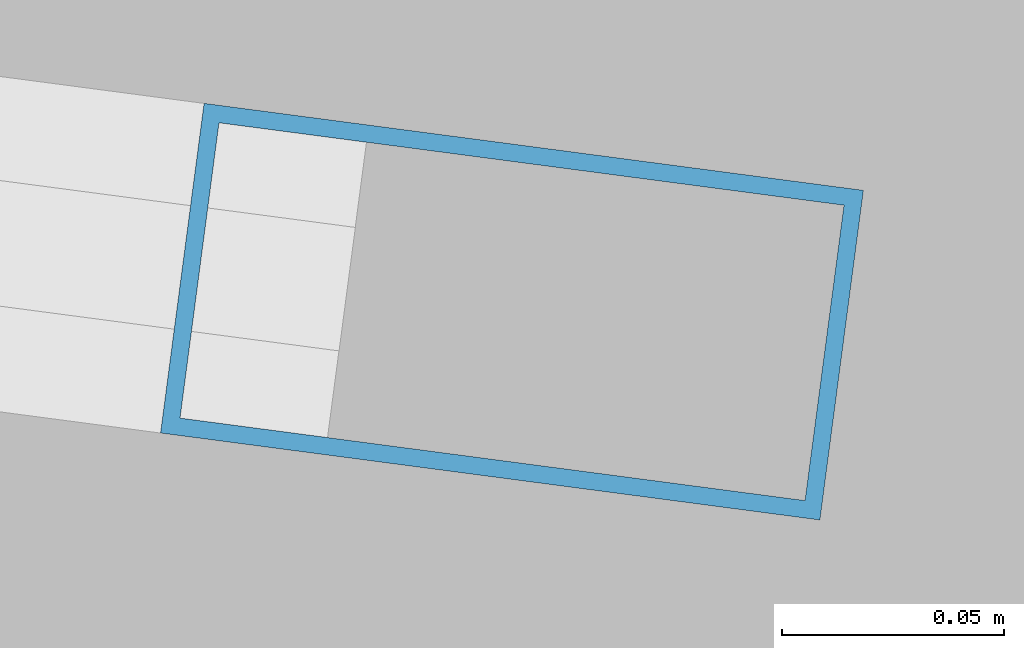
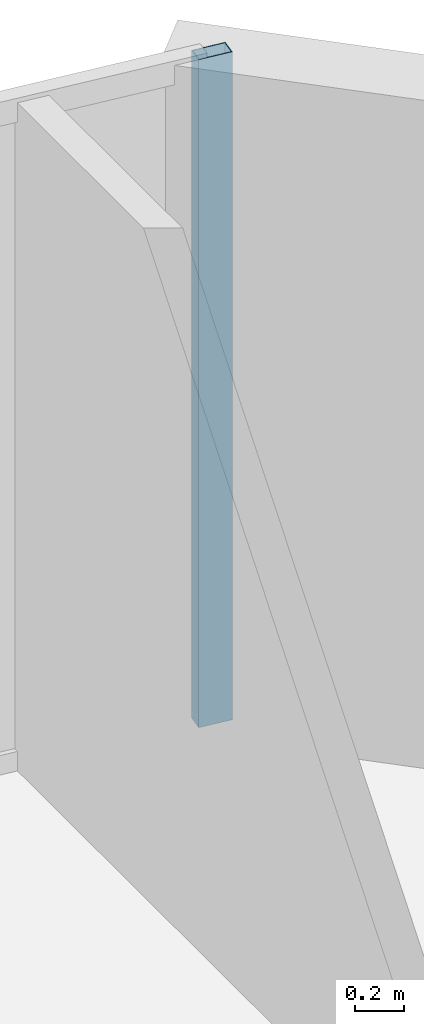
# One storey, part 22 of 30: 1 member, 1 element without a shape of its own.
"""IFC4 building model written with IfcOpenShell, lengths in metres."""

from ifc_helpers import new_model, si_unit, direction, frame, origin, origin_2d, place, context, subcontext, project, spatial, hollow_rectangle, extrude, material, layer, layer_set, material_profile, profile_set, type_object, element, aggregate, save


model = new_model("IFC4")

# Units and contexts
model_context = context("Model", 3, precision=1e-05, world=origin(), true_north=direction((0.0, 1.0)))
body_context = subcontext(model_context, "Body", "Model", "MODEL_VIEW")
ifc_project = project(units=[si_unit("LENGTHUNIT", "METRE"), si_unit("AREAUNIT", "SQUARE_METRE"), si_unit("VOLUMEUNIT", "CUBIC_METRE"), si_unit("PLANEANGLEUNIT", "RADIAN"), si_unit("MASSUNIT", "GRAM", prefix="KILO")], contexts=[model_context])

# Site, building, storey
site_placement = place(None, origin())
site = spatial("IfcSite", under=ifc_project, at=site_placement, CompositionType="ELEMENT")
building_placement = place(site_placement, origin())
building = spatial("IfcBuilding", under=site, at=building_placement, Name="Kazevale Care Tower and Concert Hall", CompositionType="ELEMENT")
storey_placement = place(building_placement, frame((0.0, 0.0, 127.800048828125)))
storey = spatial("IfcBuildingStorey", under=building, at=storey_placement, Name="L33", CompositionType="ELEMENT", Elevation=127.800048828125)

# Curtain wall, member
ifc_material_1 = material(Name="Aluminium 6063-T6 and Low-E Glass", Category="aluminium")
ifc_layer = layer(ifc_material_1, 0.179931640625)
ifc_layer_set = layer_set([ifc_layer], Name="Aluminium 6063-T6 and Low-E Glass")
curtain_wall_type = type_object("IfcCurtainWallType", Name="Convex Recessed Sunroom Curtain Wall CW-3", PredefinedType="NOTDEFINED", material=ifc_layer_set)
curtain_wall_placement = place(storey_placement, origin())
curtain_wall = element("IfcCurtainWall", 1, at=curtain_wall_placement, inside=storey, type_object=curtain_wall_type, Name="cw:L33:f16", PredefinedType="NOTDEFINED")
ifc_material_2 = material(Name="Aluminium 6063-T6", Category="aluminium")
ifc_material_profile = material_profile(ifc_material_2, hollow_rectangle(XDim=0.074951171875, YDim=0.14990234375, WallThickness=0.00390625, at=origin_2d()), Name="ALU75x150x4")
ifc_profile_set = profile_set([ifc_material_profile], Name="Aluminium 6063-T6")
member_type = type_object("IfcMemberType", Name="CW-3 Mullion ALU75x150x4", PredefinedType="MULLION", material=ifc_profile_set)
member_placement = place(storey_placement, frame((61.810791015625, 60.809814453125, 0.0), z_axis=(0.0, 0.0, 1.0), x_axis=(0.130822374277, 0.991405823257, 0.0)))
member = element("IfcMember", 2, at=member_placement, type_object=member_type, Name="CW-3 mullion 2", PredefinedType="MULLION", context=body_context, shape_type="SweptSolid", body=[
    extrude(hollow_rectangle(XDim=0.074951171875, YDim=0.14990234375, WallThickness=0.00390625, at=origin_2d()), origin(), (0.0, 0.0, 1.0), 3.35986328125),
])
aggregate(curtain_wall, [member])

save(model, "model.ifc")
